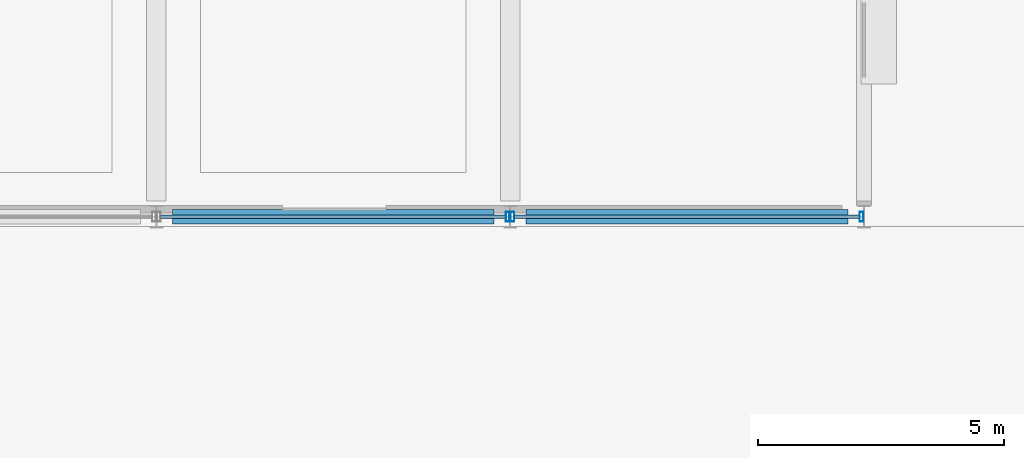
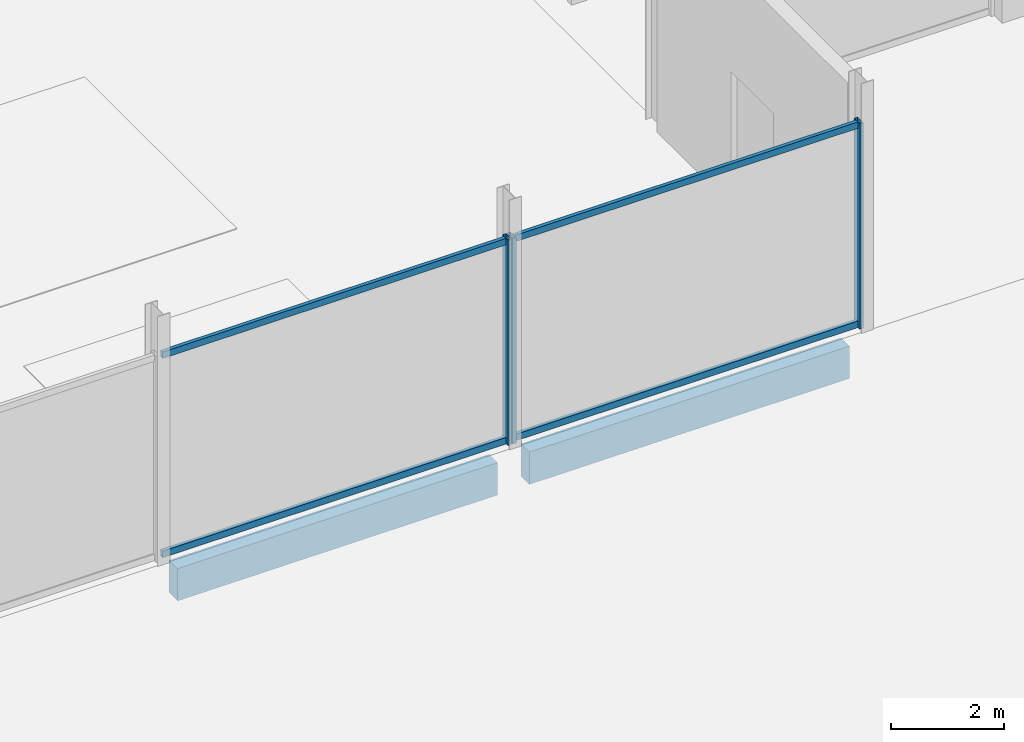
# One storey, part 24 of 90: 7 members, 2 beams, 2 elements without a shape of their own.
"""IFC4 building model written with IfcOpenShell, lengths in metres."""

from ifc_helpers import new_model, si_unit, direction, frame, origin, origin_2d, place, context, subcontext, project, spatial, rectangle, hollow_rectangle, extrude, material, layer, layer_set, material_profile, profile_set, type_object, element, aggregate, save


model = new_model("IFC4")

# Units and contexts
model_context = context("Model", 3, precision=1e-05, world=origin(), true_north=direction((0.0, 1.0)))
body_context = subcontext(model_context, "Body", "Model", "MODEL_VIEW")
ifc_project = project(units=[si_unit("LENGTHUNIT", "METRE"), si_unit("AREAUNIT", "SQUARE_METRE"), si_unit("VOLUMEUNIT", "CUBIC_METRE"), si_unit("PLANEANGLEUNIT", "RADIAN"), si_unit("MASSUNIT", "GRAM", prefix="KILO")], contexts=[model_context])

# Site, building, storey
site_placement = place(None, origin())
site = spatial("IfcSite", under=ifc_project, at=site_placement, CompositionType="ELEMENT")
building_placement = place(site_placement, origin())
building = spatial("IfcBuilding", under=site, at=building_placement, Name="Kangsadwip Square Police Headquarters", CompositionType="ELEMENT")
storey_placement = place(building_placement, origin())
storey = spatial("IfcBuildingStorey", under=building, at=storey_placement, Name="L00", CompositionType="ELEMENT", Elevation=0.0)

# Curtain wall, member
ifc_material_1 = material(Name="Thermally broken anodised aluminium AW-6063-T6", Category="aluminium")
ifc_layer = layer(ifc_material_1, 0.159912109375)
ifc_layer_set = layer_set([ifc_layer], Name="Thermally broken anodised aluminium AW-6063-T6")
curtain_wall_type = type_object("IfcCurtainWallType", Name="CourtScreen7180x4450", PredefinedType="USERDEFINED", material=ifc_layer_set)
curtain_wall_1_placement = place(storey_placement, origin())
curtain_wall_1 = element("IfcCurtainWall", 1, at=curtain_wall_1_placement, inside=storey, type_object=curtain_wall_type, Name="Curtain Wall CW-L00-0792-0864", ObjectType="GLAZED_SCREEN", PredefinedType="USERDEFINED")
ifc_material_2 = material(Name="Thermally broken anodised aluminium AW-6063-T6", Category="aluminium")
ifc_material_profile_1 = material_profile(ifc_material_2, hollow_rectangle(XDim=0.074951171875, YDim=0.199951171875, WallThickness=0.0048828125, at=origin_2d()), Name="CWM 200X75X5")
ifc_profile_set_1 = profile_set([ifc_material_profile_1], Name="Thermally broken anodised aluminium AW-6063-T6")
member_type_1 = type_object("IfcMemberType", Name="CwMullion180x75", PredefinedType="MULLION", material=ifc_profile_set_1)
member_1_placement = place(storey_placement, frame((86.3525390625, 86.39990234375, 0.0), z_axis=(0.0, 0.0, 1.0), x_axis=(1.0, 0.0, 0.0)))
member_1 = element("IfcMember", 2, at=member_1_placement, type_object=member_type_1, Name="CW-02 mullion 2", PredefinedType="MULLION", context=body_context, shape_type="SweptSolid", body=[
    extrude(hollow_rectangle(XDim=0.074951171875, YDim=0.199951171875, WallThickness=0.0048828125, at=origin_2d()), origin(), (0.0, 0.0, 1.0), 4.449951171875),
])

# Curtain wall, members
curtain_wall_2_placement = place(storey_placement, origin())
curtain_wall_2 = element("IfcCurtainWall", 3, at=curtain_wall_2_placement, inside=storey, type_object=curtain_wall_type, Name="Curtain Wall CW-L00-0864-0864", ObjectType="GLAZED_SCREEN", PredefinedType="USERDEFINED")
member_2_placement = place(storey_placement, frame((86.447509765625, 86.39990234375, 0.0), z_axis=(0.0, 0.0, 1.0), x_axis=(1.0, 0.0, 0.0)))
member_2 = element("IfcMember", 4, at=member_2_placement, type_object=member_type_1, Name="CW-02 mullion 1", PredefinedType="MULLION", context=body_context, shape_type="SweptSolid", body=[
    extrude(hollow_rectangle(XDim=0.074951171875, YDim=0.199951171875, WallThickness=0.0048828125, at=origin_2d()), origin(), (0.0, 0.0, 1.0), 4.449951171875),
])
member_3_placement = place(storey_placement, frame((93.552490234375, 86.39990234375, 0.0), z_axis=(0.0, 0.0, 1.0), x_axis=(1.0, 0.0, 0.0)))
member_3 = element("IfcMember", 5, at=member_3_placement, type_object=member_type_1, Name="CW-02 mullion 2", PredefinedType="MULLION", context=body_context, shape_type="SweptSolid", body=[
    extrude(hollow_rectangle(XDim=0.074951171875, YDim=0.199951171875, WallThickness=0.0048828125, at=origin_2d()), origin(), (0.0, 0.0, 1.0), 4.449951171875),
])

# Member
ifc_material_3 = material(Name="Thermally broken anodised aluminium AW-6063-T6", Category="aluminium")
ifc_material_profile_2 = material_profile(ifc_material_3, hollow_rectangle(XDim=0.074951171875, YDim=0.139892578125, WallThickness=0.0048828125, at=origin_2d()), Name="CWT 140X75X5")
ifc_profile_set_2 = profile_set([ifc_material_profile_2], Name="Thermally broken anodised aluminium AW-6063-T6")
member_type_2 = type_object("IfcMemberType", Name="CwTransom160x65", PredefinedType="USERDEFINED", material=ifc_profile_set_2)
member_4_placement = place(storey_placement, frame((79.284912109375, 86.39990234375, 0.070068359375), z_axis=(1.0, 0.0, 0.0), x_axis=(0.0, 1.0, 0.0)))
member_4 = element("IfcMember", 6, at=member_4_placement, type_object=member_type_2, Name="CW-02 transom 1.1", ObjectType="TRANSOM", PredefinedType="USERDEFINED", context=body_context, shape_type="SweptSolid", body=[
    extrude(hollow_rectangle(XDim=0.074951171875, YDim=0.139892578125, WallThickness=0.0048828125, at=origin_2d()), origin(), (0.0, 0.0, 1.0), 7.030029296875),
])

member_5_placement = place(storey_placement, frame((79.284912109375, 86.39990234375, 4.3798828125), z_axis=(1.0, 0.0, 0.0), x_axis=(0.0, 1.0, 0.0)))
member_5 = element("IfcMember", 7, at=member_5_placement, type_object=member_type_2, Name="CW-02 transom 1.2", ObjectType="TRANSOM", PredefinedType="USERDEFINED", context=body_context, shape_type="SweptSolid", body=[
    extrude(hollow_rectangle(XDim=0.074951171875, YDim=0.139892578125, WallThickness=0.0048828125, at=origin_2d()), origin(), (0.0, 0.0, 1.0), 7.030029296875),
])

aggregate(curtain_wall_1, [member_1, member_4, member_5])

member_6_placement = place(storey_placement, frame((86.485107421875, 86.39990234375, 0.070068359375), z_axis=(1.0, 0.0, 0.0), x_axis=(0.0, 1.0, 0.0)))
member_6 = element("IfcMember", 8, at=member_6_placement, type_object=member_type_2, Name="CW-02 transom 1.1", ObjectType="TRANSOM", PredefinedType="USERDEFINED", context=body_context, shape_type="SweptSolid", body=[
    extrude(hollow_rectangle(XDim=0.074951171875, YDim=0.139892578125, WallThickness=0.0048828125, at=origin_2d()), origin(), (0.0, 0.0, 1.0), 7.02978515625),
])

member_7_placement = place(storey_placement, frame((86.485107421875, 86.39990234375, 4.3798828125), z_axis=(1.0, 0.0, 0.0), x_axis=(0.0, 1.0, 0.0)))
member_7 = element("IfcMember", 9, at=member_7_placement, type_object=member_type_2, Name="CW-02 transom 1.2", ObjectType="TRANSOM", PredefinedType="USERDEFINED", context=body_context, shape_type="SweptSolid", body=[
    extrude(hollow_rectangle(XDim=0.074951171875, YDim=0.139892578125, WallThickness=0.0048828125, at=origin_2d()), origin(), (0.0, 0.0, 1.0), 7.02978515625),
])

aggregate(curtain_wall_2, [member_2, member_3, member_6, member_7])

# Beams
ifc_material_4 = material(Name="Concrete M40 (40 MPa)", Category="concrete")
ifc_material_profile_3 = material_profile(ifc_material_4, rectangle(XDim=0.300048828125, YDim=0.699951171875, at=origin_2d()), Name="RC SPN 700X300")
ifc_profile_set_3 = profile_set([ifc_material_profile_3], Name="Concrete M40 (40 MPa)")
beam_type = type_object("IfcBeamType", Name="RcSpandrel700x300", PredefinedType="SPANDREL", material=ifc_profile_set_3)
beam_1_placement = place(storey_placement, frame((79.52490234375, 86.39990234375, -0.60009765625), z_axis=(1.0, 0.0, 0.0), x_axis=(0.0, 1.0, 0.0)))
element("IfcBeam", 10, at=beam_1_placement, inside=storey, type_object=beam_type, Name="Beam BM-L00-X-11-12", PredefinedType="SPANDREL", context=body_context, shape_type="SweptSolid", body=[
    extrude(rectangle(XDim=0.300048828125, YDim=0.699951171875, at=origin_2d()), origin(), (0.0, 0.0, 1.0), 6.550048828125),
])
beam_2_placement = place(storey_placement, frame((86.72509765625, 86.39990234375, -0.60009765625), z_axis=(1.0, 0.0, 0.0), x_axis=(0.0, 1.0, 0.0)))
element("IfcBeam", 11, at=beam_2_placement, inside=storey, type_object=beam_type, Name="Beam BM-L00-X-12-12", PredefinedType="SPANDREL", context=body_context, shape_type="SweptSolid", body=[
    extrude(rectangle(XDim=0.300048828125, YDim=0.699951171875, at=origin_2d()), origin(), (0.0, 0.0, 1.0), 6.5498046875),
])

save(model, "model.ifc")
